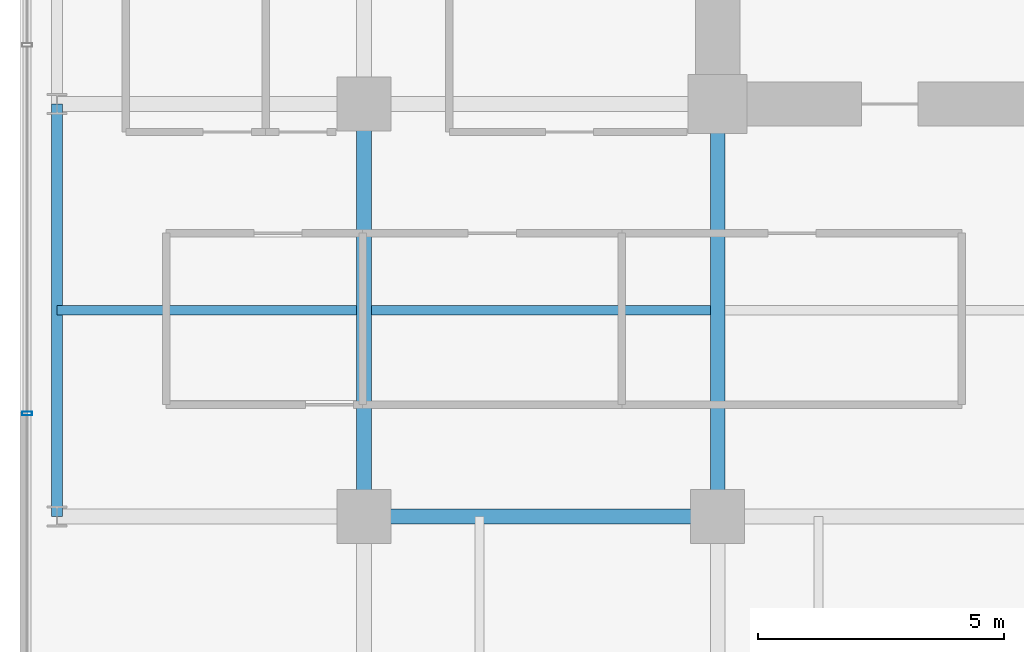
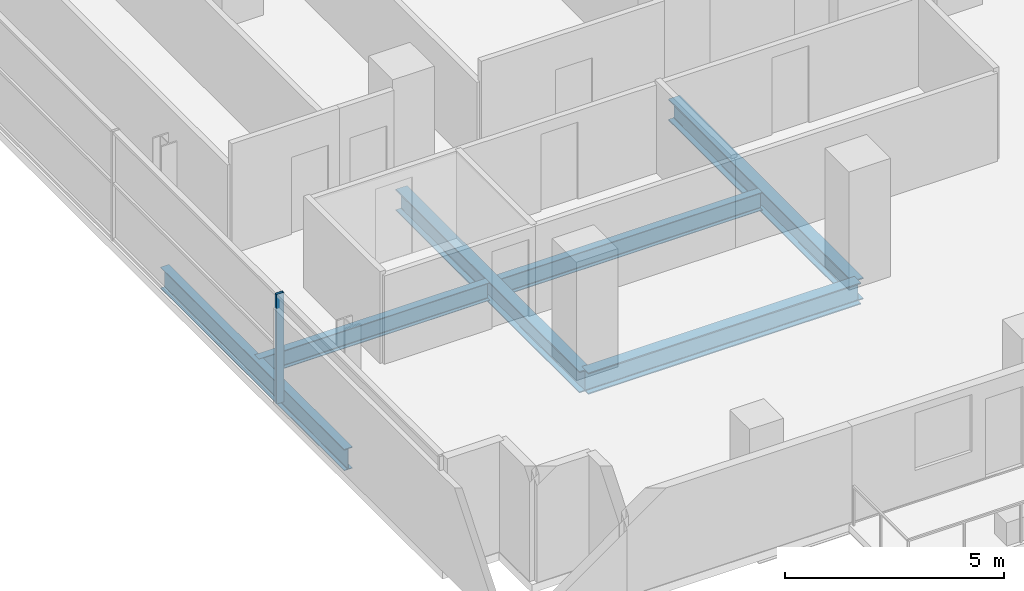
# One storey, part 4 of 26: 6 beams, 1 member, 1 element without a shape of its own.
"""IFC4 building model written with IfcOpenShell, lengths in metres."""

from ifc_helpers import new_model, si_unit, direction, frame, origin, origin_2d, place, context, subcontext, project, spatial, hollow_rectangle, i_section, extrude, source, transform, mapped, material, layer, layer_set, material_profile, profile_set, type_object, element, aggregate, save


model = new_model("IFC4")

# Units and contexts
model_context = context("Model", 3, precision=1e-05, world=origin(), true_north=direction((0.0, 1.0)))
body_context = subcontext(model_context, "Body", "Model", "MODEL_VIEW")
ifc_project = project(units=[si_unit("LENGTHUNIT", "METRE"), si_unit("AREAUNIT", "SQUARE_METRE"), si_unit("VOLUMEUNIT", "CUBIC_METRE"), si_unit("PLANEANGLEUNIT", "RADIAN"), si_unit("MASSUNIT", "GRAM", prefix="KILO")], contexts=[model_context])

# Site, building, storey
site_placement = place(None, origin())
site = spatial("IfcSite", under=ifc_project, at=site_placement, CompositionType="ELEMENT")
building_placement = place(site_placement, origin())
building = spatial("IfcBuilding", under=site, at=building_placement, Name="Zarnakvel Exchange Tower", CompositionType="ELEMENT")
storey_placement = place(building_placement, frame((0.0, 0.0, 63.699951171875)))
storey = spatial("IfcBuildingStorey", under=building, at=storey_placement, Name="L17", CompositionType="ELEMENT", Elevation=63.699951171875)

# Beams
ifc_material_1 = material(Name="Steel S355", Category="steel")
ifc_material_profile_1 = material_profile(ifc_material_1, i_section(OverallWidth=0.199951171875, OverallDepth=0.5, WebThickness=0.01025390625, FlangeThickness=0.01611328125, FilletRadius=0.02099609375, at=origin_2d()))
ifc_profile_set_1 = profile_set([ifc_material_profile_1], Name="Steel S355")
beam_type_1 = type_object("IfcBeamType", Name="B-04", PredefinedType="JOIST", material=ifc_profile_set_1)
beam_1_placement = place(storey_placement, frame((-27.85009765625, -5.39990234375, -0.474853515625), z_axis=(1.0, 0.0, 0.0), x_axis=(0.0, 1.0, 0.0)))
element("IfcBeam", 1, at=beam_1_placement, inside=storey, type_object=beam_type_1, Name="L17 Composite Floor Secondary Joist", PredefinedType="JOIST", context=body_context, shape_type="SweptSolid", body=[
    extrude(i_section(OverallWidth=0.199951171875, OverallDepth=0.5, WebThickness=0.01025390625, FlangeThickness=0.01611328125, FilletRadius=0.02099609375, at=origin_2d()), origin(), (0.0, 0.0, 1.0), 6.10009765625),
])
beam_2_placement = place(storey_placement, frame((-21.449951171875, -5.39990234375, -0.474853515625), z_axis=(1.0, 0.0, 0.0), x_axis=(0.0, 1.0, 0.0)))
element("IfcBeam", 2, at=beam_2_placement, inside=storey, type_object=beam_type_1, Name="L17 Composite Floor Secondary Joist", PredefinedType="JOIST", context=body_context, shape_type="SweptSolid", body=[
    extrude(i_section(OverallWidth=0.199951171875, OverallDepth=0.5, WebThickness=0.01025390625, FlangeThickness=0.01611328125, FilletRadius=0.02099609375, at=origin_2d()), origin(), (0.0, 0.0, 1.0), 6.89990234375),
])
ifc_material_profile_2 = material_profile(ifc_material_1, i_section(OverallWidth=0.300048828125, OverallDepth=0.60009765625, WebThickness=0.015380859375, FlangeThickness=0.030029296875, FilletRadius=0.027099609375, at=origin_2d()))
ifc_profile_set_2 = profile_set([ifc_material_profile_2], Name="Steel S355")
beam_type_2 = type_object("IfcBeamType", Name="G-04", PredefinedType="BEAM", material=ifc_profile_set_2)
beam_3_placement = place(storey_placement, frame((-21.60009765625, -9.60009765625, -0.52490234375), z_axis=(1.0, 0.0, 0.0), x_axis=(0.0, 1.0, 0.0)))
element("IfcBeam", 3, at=beam_3_placement, inside=storey, type_object=beam_type_2, Name="L17 Tower E-W Frame Beam", PredefinedType="BEAM", context=body_context, shape_type="SweptSolid", body=[
    extrude(i_section(OverallWidth=0.300048828125, OverallDepth=0.60009765625, WebThickness=0.015380859375, FlangeThickness=0.030029296875, FilletRadius=0.027099609375, at=origin_2d()), origin(), (0.0, 0.0, 1.0), 7.2001953125),
])
for number, where, z_axis, x_axis, name in (
    (4, (-21.60009765625, -9.60009765625, -0.52490234375), (0.0, 1.0, 0.0), (-1.0, 0.0, 0.0), "L17 Tower N-S Frame Beam"),
    (5, (-14.39990234375, -9.60009765625, -0.52490234375), (0.0, 1.0, 0.0), (-1.0, 0.0, 0.0), "L17 Tower N-S Frame Beam"),
):
    element("IfcBeam", number, at=place(storey_placement, frame(where, z_axis=z_axis, x_axis=x_axis)), inside=storey, type_object=beam_type_2, Name=name, PredefinedType="BEAM", context=body_context, shape_type="SweptSolid", body=[
        extrude(i_section(OverallWidth=0.300048828125, OverallDepth=0.60009765625, WebThickness=0.015380859375, FlangeThickness=0.030029296875, FilletRadius=0.027099609375, at=origin_2d()), origin(), (0.0, 0.0, 1.0), 8.400146484375),
    ])
ifc_material_profile_3 = material_profile(ifc_material_1, i_section(OverallWidth=0.219970703125, OverallDepth=0.60009765625, WebThickness=0.011962890625, FlangeThickness=0.01904296875, FilletRadius=0.02392578125, at=origin_2d()))
ifc_profile_set_3 = profile_set([ifc_material_profile_3], Name="Steel S355")
beam_type_3 = type_object("IfcBeamType", Name="SP-01", PredefinedType="SPANDREL", material=ifc_profile_set_3)
beam_4_placement = place(storey_placement, frame((-27.85009765625, -9.60009765625, -0.52490234375), z_axis=(0.0, 1.0, 0.0), x_axis=(-1.0, 0.0, 0.0)))
element("IfcBeam", 6, at=beam_4_placement, inside=storey, type_object=beam_type_3, Name="L17 Tower N-S Frame Beam", PredefinedType="SPANDREL", context=body_context, shape_type="SweptSolid", body=[
    extrude(i_section(OverallWidth=0.219970703125, OverallDepth=0.60009765625, WebThickness=0.011962890625, FlangeThickness=0.01904296875, FilletRadius=0.02392578125, at=origin_2d()), origin(), (0.0, 0.0, 1.0), 8.400146484375),
])

# Curtain wall, member
ifc_material_2 = material(Name="Architectural Bronze Anodised Aluminium", Category="aluminium")
ifc_layer = layer(ifc_material_2, 0.199951171875)
ifc_layer_set = layer_set([ifc_layer], Name="Architectural Bronze Anodised Aluminium")
curtain_wall_type = type_object("IfcCurtainWallType", Name="CW-04", PredefinedType="NOTDEFINED", material=ifc_layer_set)
curtain_wall_placement = place(storey_placement, origin())
curtain_wall = element("IfcCurtainWall", 7, at=curtain_wall_placement, inside=storey, type_object=curtain_wall_type, Name="L17 Curtain Wall CW-L17-W1 (CW-04)", PredefinedType="NOTDEFINED")
ifc_material_profile_4 = material_profile(ifc_material_2, hollow_rectangle(XDim=0.199951171875, YDim=0.074951171875, WallThickness=0.0048828125, at=origin_2d()))
ifc_profile_set_4 = profile_set([ifc_material_profile_4], Name="Architectural Bronze Anodised Aluminium")
member_type = type_object("IfcMemberType", Name="CWM-04", PredefinedType="MULLION", material=ifc_profile_set_4)
shared_shape = source(origin(), body_context, "Body", "SweptSolid", [
    extrude(hollow_rectangle(XDim=0.199951171875, YDim=0.074951171875, WallThickness=0.0048828125, at=origin_2d()), origin(), (0.0, 0.0, 1.0), 3.054931640625),
])
member_placement = place(storey_placement, frame((-28.4599609375, -7.5, 0.0), z_axis=(0.0, 0.0, 1.0), x_axis=(-1.0, 0.0, 0.0)))
member = element("IfcMember", 8, at=member_placement, type_object=member_type, Name="CW-04 mullion 2", PredefinedType="MULLION", context=body_context, shape_type="MappedRepresentation", body=[
    mapped(shared_shape, transform((0.0, 0.0, 0.0), x_axis=(1.0, 0.0, 0.0), y_axis=(0.0, 1.0, 0.0), z_axis=(0.0, 0.0, 1.0), scale=1.0)),
])
aggregate(curtain_wall, [member])

save(model, "model.ifc")
